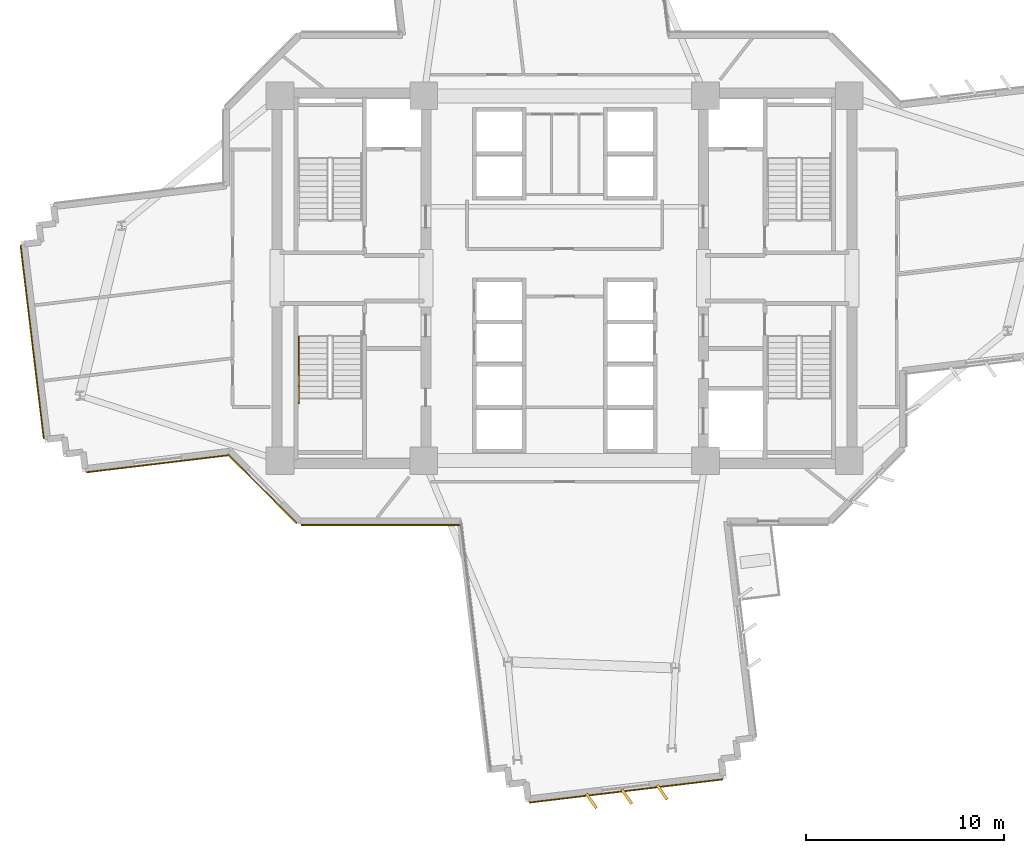
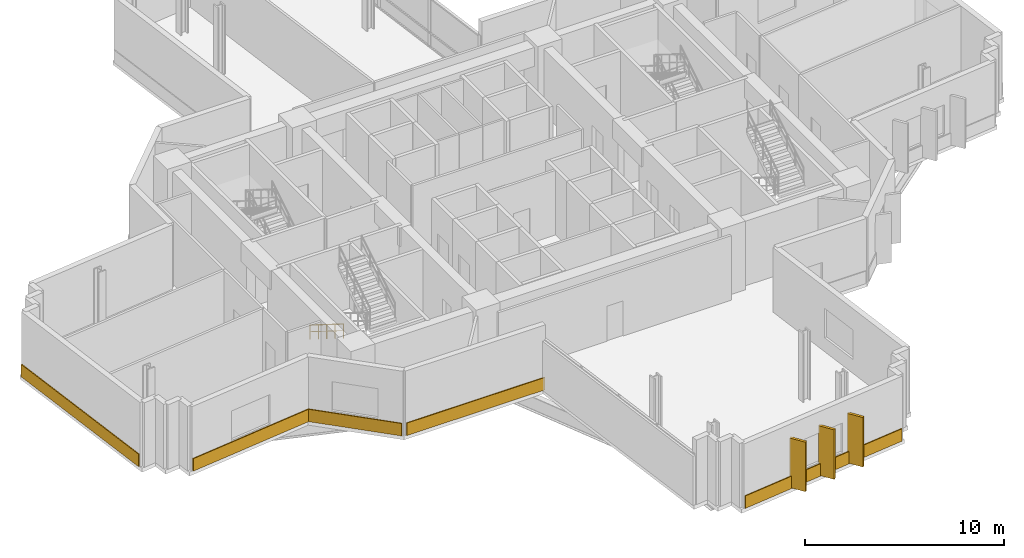
# One storey, part 11 of 15: 8 coverings, 1 railing.
"""IFC4 building model written with IfcOpenShell, lengths in metres."""

from ifc_helpers import new_model, si_unit, direction, frame, origin, origin_2d, place, context, subcontext, project, spatial, rectangle, extrude, source, transform, mapped, material, layer, layer_set, type_object, element, save


model = new_model("IFC4")

# Units and contexts
model_context = context("Model", 3, precision=1e-05, world=origin(), true_north=direction((0.0, 1.0)))
body_context = subcontext(model_context, "Body", "Model", "MODEL_VIEW")
ifc_project = project(units=[si_unit("LENGTHUNIT", "METRE"), si_unit("AREAUNIT", "SQUARE_METRE"), si_unit("VOLUMEUNIT", "CUBIC_METRE"), si_unit("PLANEANGLEUNIT", "RADIAN"), si_unit("MASSUNIT", "GRAM", prefix="KILO")], contexts=[model_context])

# Site, building, storey
site_placement = place(None, origin())
site = spatial("IfcSite", under=ifc_project, at=site_placement, CompositionType="ELEMENT")
building_placement = place(site_placement, origin())
building = spatial("IfcBuilding", under=site, at=building_placement, Name="Zahravan Cultural Tower", CompositionType="ELEMENT")
storey_placement = place(building_placement, frame((0.0, 0.0, 104.699951171875)))
storey = spatial("IfcBuildingStorey", under=building, at=storey_placement, Name="L23", CompositionType="ELEMENT", Elevation=104.699951171875)

# Railing
ifc_material_1 = material(Name="Steel ASTM A572 Grade 50", Category="steel")
railing_type = type_object("IfcRailingType", Name="RL-STAIR-HR900", PredefinedType="HANDRAIL", material=ifc_material_1)
railing_placement = place(storey_placement, frame((22.60009765625, 24.050048828125, 0.175048828125)))
element("IfcRailing", 1, at=railing_placement, inside=storey, type_object=railing_type, Name="L23 ST-W2 stair handrail 1", PredefinedType="HANDRAIL", context=body_context, shape_type="SweptSolid", body=[
    extrude(rectangle(XDim=0.05, YDim=0.05, at=origin_2d()), frame((0.0, 0.0, 0.875), z_axis=(0.0, -0.847994842521, 0.530004478338), x_axis=(1.0, 0.0, 0.0)), (0.0, 0.0, 1.0), 3.96240234375),
    extrude(rectangle(XDim=0.032, YDim=0.032, at=origin_2d()), frame((0.0, 0.0, 0.468017578125), z_axis=(0.0, -0.847994842521, 0.530004478338), x_axis=(1.0, 0.0, 0.0)), (0.0, 0.0, 1.0), 3.96240234375),
    extrude(rectangle(XDim=0.04, YDim=0.04, at=origin_2d()), origin(), (0.0, 0.0, 1.0), 0.89990234375),
    extrude(rectangle(XDim=0.04, YDim=0.04, at=origin_2d()), frame((0.0, -0.840087890625, 0.52490234375)), (0.0, 0.0, 1.0), 0.89990234375),
    extrude(rectangle(XDim=0.04, YDim=0.04, at=origin_2d()), frame((0.0, -1.68017578125, 1.050048828125)), (0.0, 0.0, 1.0), 0.89990234375),
    extrude(rectangle(XDim=0.04, YDim=0.04, at=origin_2d()), frame((0.0, -2.52001953125, 1.5751953125)), (0.0, 0.0, 1.0), 0.89990234375),
    extrude(rectangle(XDim=0.04, YDim=0.04, at=origin_2d()), frame((0.0, -3.360107421875, 2.10009765625)), (0.0, 0.0, 1.0), 0.89990234375),
])

# Coverings
ifc_material_2 = material(Name="Terracotta ceramic cladding", Category="masonry")
ifc_layer = layer(ifc_material_2, 0.06005859375)
ifc_layer_set = layer_set([ifc_layer], Name="Terracotta ceramic cladding")
covering_type = type_object("IfcCoveringType", Name="COV-CLAD-TC60", PredefinedType="CLADDING", material=ifc_layer_set)
shared_shape_1 = source(origin(), body_context, "Body", "SweptSolid", [
    extrude(rectangle(XDim=9.820068359375, YDim=0.06005859375, at=origin_2d()), origin(), (0.0, 0.0, 1.0), 0.760009765625),
])
for number, where, z_axis, x_axis, name in (
    (2, (39.101806640625, 1.140380859375, 0.02001953125), (0.0, 0.0, 1.0), (-0.992884683056, -0.119079831006, 0.0), "L23 Terracotta Spandrel Cladding 20"),
    (3, (9.1474609375, 23.779052734375, 0.02001953125), (0.0, 0.0, 1.0), (-0.119097160095, 0.99288260457, 0.0), "L23 Terracotta Spandrel Cladding 32"),
):
    element("IfcCovering", number, at=place(storey_placement, frame(where, z_axis=z_axis, x_axis=x_axis)), inside=storey, type_object=covering_type, Name=name, PredefinedType="CLADDING", context=body_context, shape_type="MappedRepresentation", body=[
        mapped(shared_shape_1, transform((0.0, 0.0, 0.0), x_axis=(1.0, 0.0, 0.0), y_axis=(0.0, 1.0, 0.0), z_axis=(0.0, 0.0, 1.0), scale=1.0)),
    ])
shared_shape_2 = source(origin(), body_context, "Body", "SweptSolid", [
    extrude(rectangle(XDim=0.8798828125, YDim=0.139892578125, at=origin_2d()), origin(), (0.0, 0.0, 1.0), 3.030029296875),
])
for number, where, z_axis, x_axis, name in (
    (4, (40.923095703125, 1.07177734375, 0.0498046875), (0.0, 0.0, 1.0), (0.571272373966, -0.820760546532, 0.0), "L23 Herringbone Terracotta Fin 16"),
    (5, (39.1357421875, 0.857421875, 0.0498046875), (0.0, 0.0, 1.0), (0.571272373966, -0.820760546532, 0.0), "L23 Herringbone Terracotta Fin 17"),
    (6, (37.3486328125, 0.64306640625, 0.0498046875), (0.0, 0.0, 1.0), (0.571272373966, -0.820760546532, 0.0), "L23 Herringbone Terracotta Fin 18"),
):
    element("IfcCovering", number, at=place(storey_placement, frame(where, z_axis=z_axis, x_axis=x_axis)), inside=storey, type_object=covering_type, Name=name, PredefinedType="CLADDING", context=body_context, shape_type="MappedRepresentation", body=[
        mapped(shared_shape_2, transform((0.0, 0.0, 0.0), x_axis=(1.0, 0.0, 0.0), y_axis=(0.0, 1.0, 0.0), z_axis=(0.0, 0.0, 1.0), scale=1.0)),
    ])
shared_shape_3 = source(origin(), body_context, "Body", "SweptSolid", [
    extrude(rectangle(XDim=7.269775390625, YDim=0.06005859375, at=origin_2d()), origin(), (0.0, 0.0, 1.0), 0.760009765625),
])
covering_1_placement = place(storey_placement, frame((15.492919921875, 17.64599609375, 0.02001953125), z_axis=(0.0, 0.0, 1.0), x_axis=(-0.99288260457, -0.119097160095, 0.0)))
element("IfcCovering", 7, at=covering_1_placement, inside=storey, type_object=covering_type, Name="L23 Terracotta Spandrel Cladding 27", PredefinedType="CLADDING", context=body_context, shape_type="MappedRepresentation", body=[
    mapped(shared_shape_3, transform((0.0, 0.0, 0.0), x_axis=(1.0, 0.0, 0.0), y_axis=(0.0, 1.0, 0.0), z_axis=(0.0, 0.0, 1.0), scale=1.0)),
])
shared_shape_4 = source(origin(), body_context, "Body", "SweptSolid", [
    extrude(rectangle(XDim=8.0048828125, YDim=0.06005859375, at=origin_2d()), origin(), (0.0, 0.0, 1.0), 0.760009765625),
])
covering_2_placement = place(storey_placement, frame((26.71044921875, 14.554931640625, 0.02001953125), z_axis=(0.0, 0.0, 1.0), x_axis=(-1.0, 0.0, 0.0)))
element("IfcCovering", 8, at=covering_2_placement, inside=storey, type_object=covering_type, Name="L23 Terracotta Spandrel Cladding 25", PredefinedType="CLADDING", context=body_context, shape_type="MappedRepresentation", body=[
    mapped(shared_shape_4, transform((0.0, 0.0, 0.0), x_axis=(1.0, 0.0, 0.0), y_axis=(0.0, 1.0, 0.0), z_axis=(0.0, 0.0, 1.0), scale=1.0)),
])
shared_shape_5 = source(origin(), body_context, "Body", "SweptSolid", [
    extrude(rectangle(XDim=4.89013671875, YDim=0.06005859375, at=origin_2d()), origin(), (0.0, 0.0, 1.0), 0.760009765625),
])
covering_3_placement = place(storey_placement, frame((20.762939453125, 16.37353515625, 0.02001953125), z_axis=(0.0, 0.0, 1.0), x_axis=(-0.707106781187, 0.707106781187, 0.0)))
element("IfcCovering", 9, at=covering_3_placement, inside=storey, type_object=covering_type, Name="L23 Terracotta Spandrel Cladding 26", PredefinedType="CLADDING", context=body_context, shape_type="MappedRepresentation", body=[
    mapped(shared_shape_5, transform((0.0, 0.0, 0.0), x_axis=(1.0, 0.0, 0.0), y_axis=(0.0, 1.0, 0.0), z_axis=(0.0, 0.0, 1.0), scale=1.0)),
])

save(model, "model.ifc")
